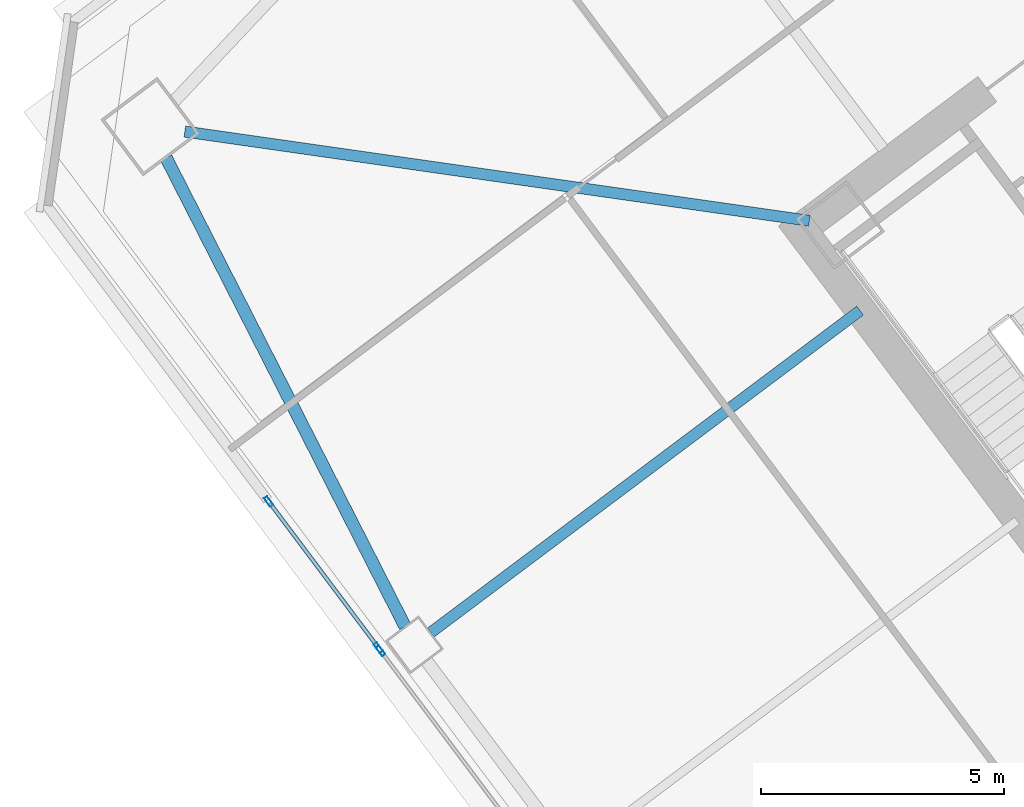
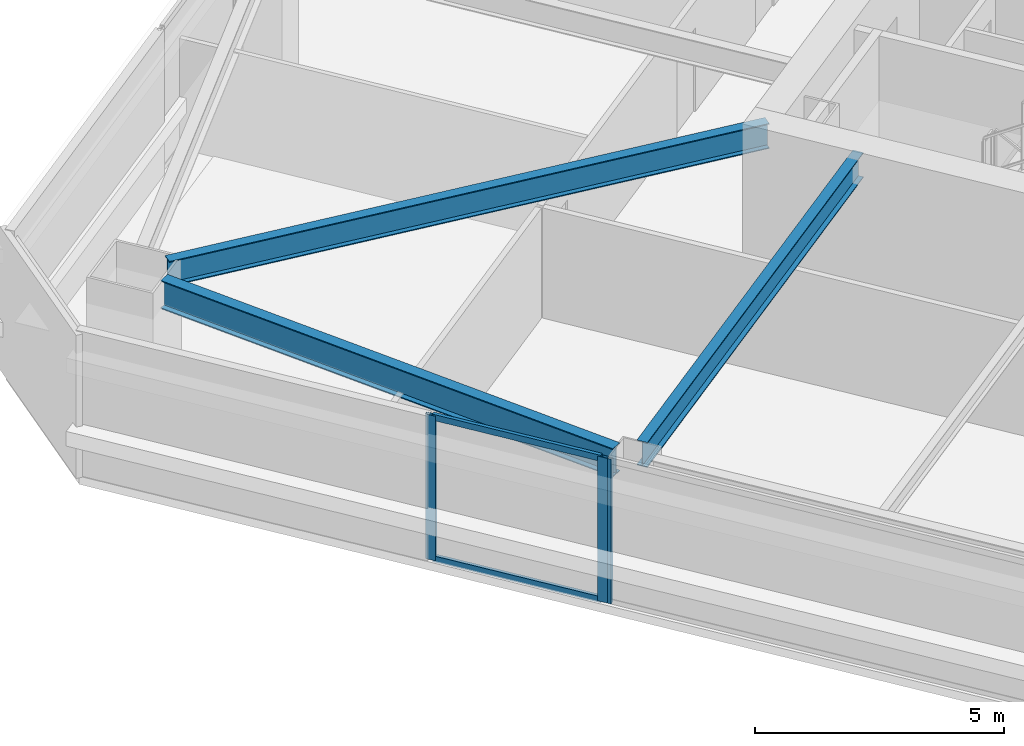
# One storey, part 21 of 44: 5 members, 3 beams, 2 elements without a shape of their own.
"""IFC4 building model written with IfcOpenShell, lengths in metres."""

from ifc_helpers import new_model, si_unit, direction, frame, origin, origin_2d, place, context, subcontext, project, spatial, hollow_rectangle, i_section, extrude, material, material_profile, profile_set, type_object, element, aggregate, save


model = new_model("IFC4")

# Units and contexts
model_context = context("Model", 3, precision=1e-05, world=origin(), true_north=direction((0.0, 1.0)))
body_context = subcontext(model_context, "Body", "Model", "MODEL_VIEW")
ifc_project = project(units=[si_unit("LENGTHUNIT", "METRE"), si_unit("AREAUNIT", "SQUARE_METRE"), si_unit("VOLUMEUNIT", "CUBIC_METRE"), si_unit("PLANEANGLEUNIT", "RADIAN"), si_unit("MASSUNIT", "GRAM", prefix="KILO")], contexts=[model_context])

# Site, building, storey
site_placement = place(None, origin())
site = spatial("IfcSite", under=ifc_project, at=site_placement, CompositionType="ELEMENT")
building_placement = place(site_placement, origin())
building = spatial("IfcBuilding", under=site, at=building_placement, Name="Tashvorn Skyway Center", CompositionType="ELEMENT")
storey_placement = place(building_placement, frame((0.0, 0.0, 74.300048828125)))
storey = spatial("IfcBuildingStorey", under=building, at=storey_placement, Name="L19", CompositionType="ELEMENT", Elevation=74.300048828125)

# Beams
ifc_material_1 = material(Name="Steel ASTM A992 Grade 50", Category="steel")
ifc_material_profile_1 = material_profile(ifc_material_1, i_section(OverallWidth=0.22998046875, OverallDepth=0.616943359375, WebThickness=0.01318359375, FlangeThickness=0.022216796875, at=origin_2d()), Name="W24X94")
ifc_profile_set_1 = profile_set([ifc_material_profile_1], Name="Steel ASTM A992 Grade 50")
beam_type_1 = type_object("IfcBeamType", Name="BM-BEAM-W24X94", PredefinedType="BEAM", material=ifc_profile_set_1)
beam_1_placement = place(storey_placement, frame((90.6328125, 35.338134765625, 3.04150390625), z_axis=(0.989949869571, -0.141418724841, 0.0), x_axis=(0.141418724841, 0.989949869571, 0.0)))
element("IfcBeam", 1, at=beam_1_placement, inside=storey, type_object=beam_type_1, Name="Tower 2 L19 Primary Floor Girder MC-NW", PredefinedType="BEAM", context=body_context, shape_type="SweptSolid", body=[
    extrude(i_section(OverallWidth=0.22998046875, OverallDepth=0.616943359375, WebThickness=0.01318359375, FlangeThickness=0.022216796875, at=origin_2d()), origin(), (0.0, 0.0, 1.0), 12.9892578125),
])
beam_2_placement = place(storey_placement, frame((95.696044921875, 25.02197265625, 3.04150390625), z_axis=(0.799989394625, 0.60001414024, 0.0), x_axis=(-0.60001414024, 0.799989394625, 0.0)))
element("IfcBeam", 2, at=beam_2_placement, inside=storey, type_object=beam_type_1, Name="Tower 2 L19 Primary Floor Girder FC-W1", PredefinedType="BEAM", context=body_context, shape_type="SweptSolid", body=[
    extrude(i_section(OverallWidth=0.22998046875, OverallDepth=0.616943359375, WebThickness=0.01318359375, FlangeThickness=0.022216796875, at=origin_2d()), origin(), (0.0, 0.0, 1.0), 11.050048828125),
])
ifc_material_profile_2 = material_profile(ifc_material_1, i_section(OverallWidth=0.256103515625, OverallDepth=0.693115234375, WebThickness=0.014404296875, FlangeThickness=0.023681640625, at=origin_2d()), Name="W27X114")
ifc_profile_set_2 = profile_set([ifc_material_profile_2], Name="Steel ASTM A992 Grade 50")
beam_type_2 = type_object("IfcBeamType", Name="BM-SPANDREL-W27X114", PredefinedType="SPANDREL", material=ifc_profile_set_2)
beam_3_placement = place(storey_placement, frame((90.2470703125, 34.798583984375, 3.00341796875), z_axis=(0.454210938961, -0.890894170442, 0.0), x_axis=(0.890894170442, 0.454210938961, 0.0)))
element("IfcBeam", 3, at=beam_3_placement, inside=storey, type_object=beam_type_2, Name="Tower 2 L19 Spandrel Beam 10", PredefinedType="SPANDREL", context=body_context, shape_type="SweptSolid", body=[
    extrude(i_section(OverallWidth=0.256103515625, OverallDepth=0.693115234375, WebThickness=0.014404296875, FlangeThickness=0.023681640625, at=origin_2d()), origin(), (0.0, 0.0, 1.0), 10.836669921875),
])

# Curtain wall, member
ifc_material_2 = material(Name="Thermally broken bronze-anodized aluminium 6063-T6", Category="aluminium")
curtain_wall_type = type_object("IfcCurtainWallType", Name="CW-CW-Z2", PredefinedType="NOTDEFINED", material=ifc_material_2)
curtain_wall_1_placement = place(storey_placement, origin())
curtain_wall_1 = element("IfcCurtainWall", 4, at=curtain_wall_1_placement, inside=storey, type_object=curtain_wall_type, Name="Tower 2 L19 West Unitised Curtain Wall Glazing Group 2", PredefinedType="NOTDEFINED")
ifc_material_profile_3 = material_profile(ifc_material_2, hollow_rectangle(XDim=0.080078125, YDim=0.219970703125, WallThickness=0.0048828125, at=origin_2d()), Name="ALU-MULL-80x220")
ifc_profile_set_3 = profile_set([ifc_material_profile_3], Name="Thermally broken bronze-anodized aluminium 6063-T6")
member_type_1 = type_object("IfcMemberType", Name="CWM-CW-Z2", PredefinedType="MULLION", material=ifc_profile_set_3)
member_1_placement = place(storey_placement, frame((94.6640625, 24.64794921875, 0.0), z_axis=(0.0, 0.0, 1.0), x_axis=(-0.799999999998, -0.600000000002, 0.0)))
member_1 = element("IfcMember", 5, at=member_1_placement, type_object=member_type_1, Name="CW-Z2 mullion 2", PredefinedType="MULLION", context=body_context, shape_type="SweptSolid", body=[
    extrude(hollow_rectangle(XDim=0.080078125, YDim=0.219970703125, WallThickness=0.0048828125, at=origin_2d()), origin(), (0.0, 0.0, 1.0), 3.550048828125),
])
aggregate(curtain_wall_1, [member_1])

# Curtain wall, members
curtain_wall_2_placement = place(storey_placement, origin())
curtain_wall_2 = element("IfcCurtainWall", 6, at=curtain_wall_2_placement, inside=storey, type_object=curtain_wall_type, Name="Tower 2 L19 West Unitised Curtain Wall Glazing Group 3", PredefinedType="NOTDEFINED")
member_2_placement = place(storey_placement, frame((94.615966796875, 24.7119140625, 0.0), z_axis=(0.0, 0.0, 1.0), x_axis=(-0.799999999998, -0.600000000002, 0.0)))
member_2 = element("IfcMember", 7, at=member_2_placement, type_object=member_type_1, Name="CW-Z2 mullion 1", PredefinedType="MULLION", context=body_context, shape_type="SweptSolid", body=[
    extrude(hollow_rectangle(XDim=0.080078125, YDim=0.219970703125, WallThickness=0.0048828125, at=origin_2d()), origin(), (0.0, 0.0, 1.0), 3.550048828125),
])
member_3_placement = place(storey_placement, frame((92.360107421875, 27.719970703125, 0.0), z_axis=(0.0, 0.0, 1.0), x_axis=(-0.799999999998, -0.600000000002, 0.0)))
member_3 = element("IfcMember", 8, at=member_3_placement, type_object=member_type_1, Name="CW-Z2 mullion 2", PredefinedType="MULLION", context=body_context, shape_type="SweptSolid", body=[
    extrude(hollow_rectangle(XDim=0.080078125, YDim=0.219970703125, WallThickness=0.0048828125, at=origin_2d()), origin(), (0.0, 0.0, 1.0), 3.550048828125),
])
ifc_material_profile_4 = material_profile(ifc_material_2, hollow_rectangle(XDim=0.080078125, YDim=0.14990234375, WallThickness=0.00439453125, at=origin_2d()), Name="ALU-TRAN-80x150")
ifc_profile_set_4 = profile_set([ifc_material_profile_4], Name="Thermally broken bronze-anodized aluminium 6063-T6")
member_type_2 = type_object("IfcMemberType", Name="CWT-CW-Z2", PredefinedType="USERDEFINED", material=ifc_profile_set_4)
member_4_placement = place(storey_placement, frame((94.592041015625, 24.743896484375, 0.0400390625), z_axis=(-0.599989385363, 0.800007960868, 0.0), x_axis=(-0.800007960868, -0.599989385363, 0.0)))
member_4 = element("IfcMember", 9, at=member_4_placement, type_object=member_type_2, Name="CW-Z2 transom 1.1", ObjectType="TRANSOM", PredefinedType="USERDEFINED", context=body_context, shape_type="SweptSolid", body=[
    extrude(hollow_rectangle(XDim=0.080078125, YDim=0.14990234375, WallThickness=0.00439453125, at=origin_2d()), origin(), (0.0, 0.0, 1.0), 3.68017578125),
])
member_5_placement = place(storey_placement, frame((94.592041015625, 24.743896484375, 3.510009765625), z_axis=(-0.599989385363, 0.800007960868, 0.0), x_axis=(-0.800007960868, -0.599989385363, 0.0)))
member_5 = element("IfcMember", 10, at=member_5_placement, type_object=member_type_2, Name="CW-Z2 transom 1.2", ObjectType="TRANSOM", PredefinedType="USERDEFINED", context=body_context, shape_type="SweptSolid", body=[
    extrude(hollow_rectangle(XDim=0.080078125, YDim=0.14990234375, WallThickness=0.00439453125, at=origin_2d()), origin(), (0.0, 0.0, 1.0), 3.68017578125),
])
aggregate(curtain_wall_2, [member_2, member_3, member_4, member_5])

save(model, "model.ifc")
